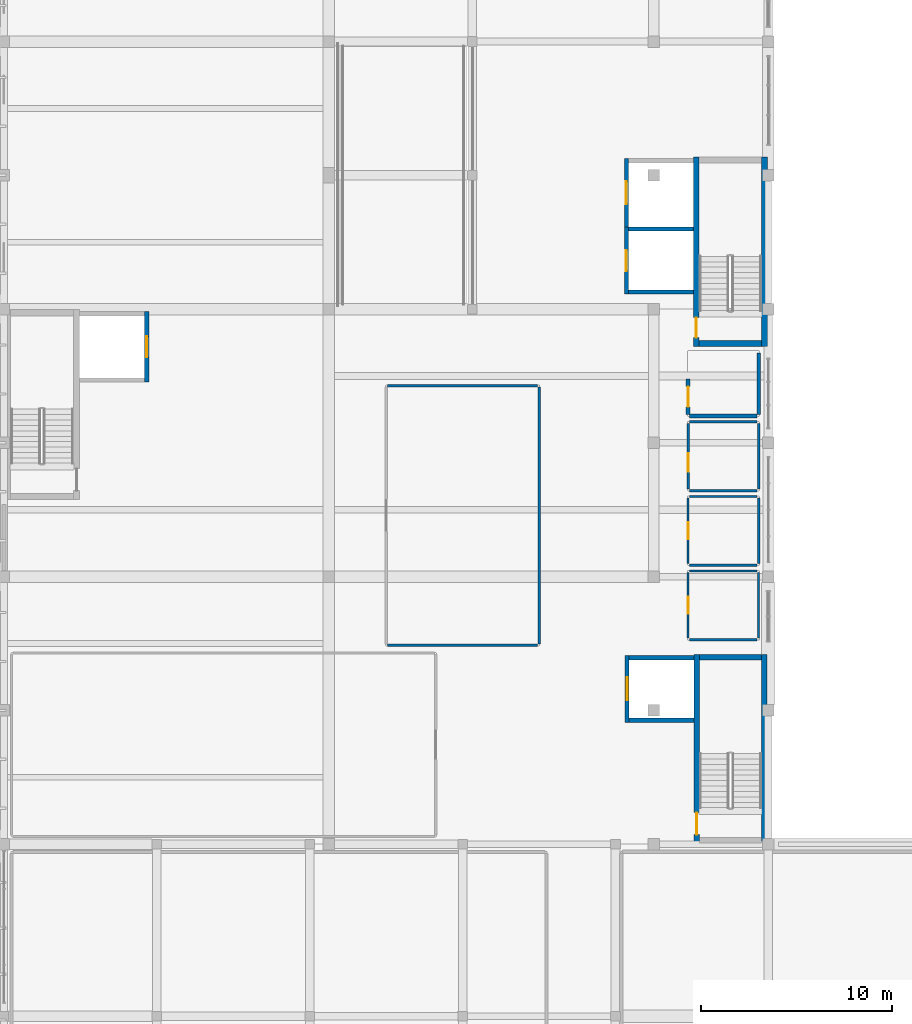
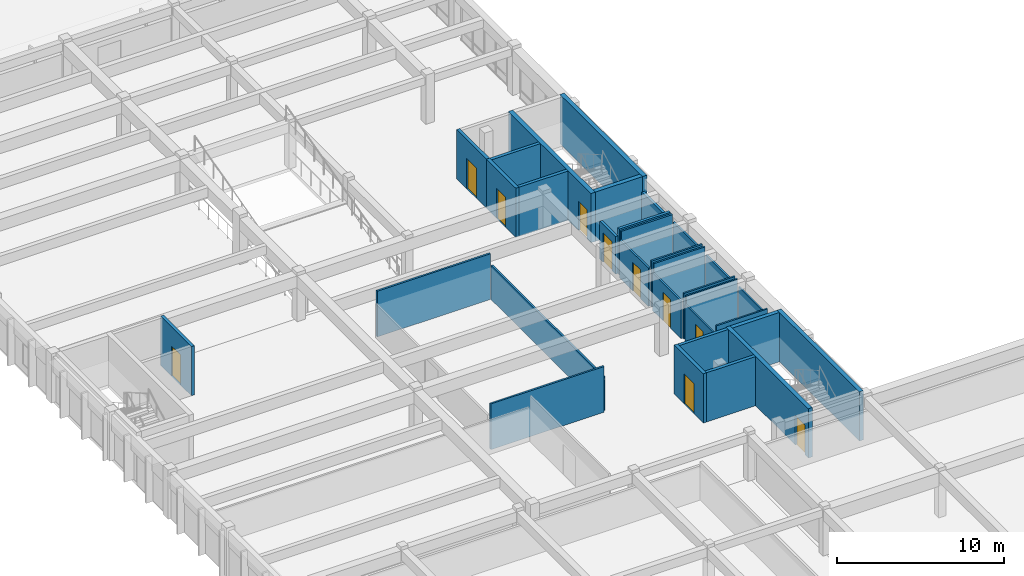
# One storey, part 23 of 33: 32 walls, 10 doors, 10 openings.
"""IFC4 building model written with IfcOpenShell, lengths in metres."""

from ifc_helpers import new_model, si_unit, direction, frame, frame_2d, origin, place, context, subcontext, project, spatial, rectangle, extrude, material, layer, layer_set, type_object, element, fill, save


model = new_model("IFC4")

# Units and contexts
model_context = context("Model", 3, precision=1e-05, world=origin(), true_north=direction((0.0, 1.0)))
body_context = subcontext(model_context, "Body", "Model", "MODEL_VIEW")
ifc_project = project(units=[si_unit("LENGTHUNIT", "METRE"), si_unit("AREAUNIT", "SQUARE_METRE"), si_unit("VOLUMEUNIT", "CUBIC_METRE"), si_unit("PLANEANGLEUNIT", "RADIAN"), si_unit("MASSUNIT", "GRAM", prefix="KILO")], contexts=[model_context])

# Site, building, storey
site_placement = place(None, origin())
site = spatial("IfcSite", under=ifc_project, at=site_placement, CompositionType="ELEMENT")
building_placement = place(site_placement, origin())
building = spatial("IfcBuilding", under=site, at=building_placement, Name="Larkveld Mobility Hub", CompositionType="ELEMENT")
storey_placement = place(building_placement, frame((0.0, 0.0, 15.60009765625)))
storey = spatial("IfcBuildingStorey", under=building, at=storey_placement, Name="L04", CompositionType="ELEMENT", Elevation=15.60009765625)

# Wall, opening, door
ifc_material_1 = material(Name="Concrete C40/50", Category="concrete")
ifc_layer_1 = layer(ifc_material_1, 0.280029296875, Name="Concrete C40/50", Category="concrete")
ifc_layer_set_1 = layer_set([ifc_layer_1], Name="Concrete C40/50")
wall_type_1 = type_object("IfcWallType", Name="WL-CORE-280", PredefinedType="SHEAR", material=ifc_layer_set_1)
wall_1_placement = place(storey_placement, frame((148.260009765625, 28.070068359375, 0.0), z_axis=(0.0, 0.0, 1.0), x_axis=(0.0, 1.0, 0.0)))
wall_1 = element("IfcWall", 1, at=wall_1_placement, inside=storey, type_object=wall_type_1, Name="Core C1 Stair Shear Wall L04-W", PredefinedType="SHEAR", context=body_context, shape_type="SweptSolid", body=[
    extrude(rectangle(XDim=9.85986328125, YDim=0.280029296875, at=frame_2d((4.929931640625, 0.0))), origin(), (0.0, 0.0, 1.0), 3.599853515625),
])
opening_1_placement = place(wall_1_placement, frame((0.429931640625, 0.0, 0.0)))
opening_1 = element("IfcOpeningElement", 2, at=opening_1_placement, cuts=wall_1, Name="Opening DF01", PredefinedType="OPENING", context=body_context, shape_type="SweptSolid", body=[
    extrude(rectangle(XDim=1.14990234375, YDim=2.14990234375, at=frame_2d((0.574951171875, 1.074951171875))), frame((0.0, 0.14990234375, 0.0), z_axis=(0.0, -1.0, 0.0), x_axis=(1.0, 0.0, 0.0)), (0.0, 0.0, 1.0), 0.300048828125),
])
ifc_material_2 = material(Name="Pressed Steel S355JR fire door assembly", Category="steel")
door_type_1 = type_object("IfcDoorType", Name="DR-FD120", OperationType="NOTDEFINED", PredefinedType="DOOR", material=ifc_material_2)
door_1_placement = place(opening_1_placement, origin())
door_1 = element("IfcDoor", 3, at=door_1_placement, inside=storey, type_object=door_type_1, Name="Stair ST1 Fire Door L04", OperationType="SINGLE_SWING_RIGHT", OverallHeight=2.14990234375, OverallWidth=1.14990234375, PredefinedType="DOOR", context=body_context, shape_type="SweptSolid", body=[
    extrude(rectangle(XDim=1.14990234375, YDim=2.14990234375, at=frame_2d((0.574951171875, 1.074951171875))), frame((0.0, 0.02490234375, 0.0), z_axis=(0.0, -1.0, 0.0), x_axis=(1.0, 0.0, 0.0)), (0.0, 0.0, 1.0), 0.050048828125),
])
fill(opening_1, door_1)

# Walls
wall_2_placement = place(storey_placement, frame((151.7900390625, 37.929931640625, 0.0), z_axis=(0.0, 0.0, 1.0), x_axis=(0.0, -1.0, 0.0)))
element("IfcWall", 4, at=wall_2_placement, inside=storey, type_object=wall_type_1, Name="Core C1 Stair Shear Wall L04-E", PredefinedType="SHEAR", context=body_context, shape_type="SweptSolid", body=[
    extrude(rectangle(XDim=9.85986328125, YDim=0.280029296875, at=frame_2d((4.929931640625, 0.0))), origin(), (0.0, 0.0, 1.0), 3.599853515625),
])
wall_3_placement = place(storey_placement, frame((148.39990234375, 37.7900390625, 0.0), z_axis=(0.0, 0.0, 1.0), x_axis=(1.0, 0.0, 0.0)))
element("IfcWall", 5, at=wall_3_placement, inside=storey, type_object=wall_type_1, Name="Core C1 Stair Shear Wall L04-N", PredefinedType="SHEAR", context=body_context, shape_type="SweptSolid", body=[
    extrude(rectangle(XDim=3.25, YDim=0.280029296875, at=frame_2d((1.625, 0.0))), origin(), (0.0, 0.0, 1.0), 3.599853515625),
])
ifc_material_3 = material(Name="Concrete blockwork masonry 14 MPa", Category="masonry")
ifc_layer_2 = layer(ifc_material_3, 0.110107421875, Name="Concrete blockwork masonry 14 MPa", Category="masonry")
ifc_layer_set_2 = layer_set([ifc_layer_2], Name="Concrete blockwork masonry 14 MPa")
wall_type_2 = type_object("IfcWallType", Name="WL-PRT-110", PredefinedType="PARTITIONING", material=ifc_layer_set_2)
for number, where, z_axis, x_axis, name in (
    (6, (147.8798828125, 38.699951171875, 0.0), (0.0, 0.0, 1.0), (1.0, 0.0, 0.0), "Male Public Toilet Partition 0204"),
    (7, (147.8798828125, 42.2939453125, 0.0), (0.0, 0.0, 1.0), (1.0, 0.0, 0.0), "Male Public Toilet Partition 0205"),
):
    element("IfcWall", number, at=place(storey_placement, frame(where, z_axis=z_axis, x_axis=x_axis)), inside=storey, type_object=wall_type_2, Name=name, PredefinedType="PARTITIONING", context=body_context, shape_type="SweptSolid", body=[
        extrude(rectangle(XDim=3.5341796875, YDim=0.110107421875, at=frame_2d((1.76708984375, 0.0))), origin(), (0.0, 0.0, 1.0), 3.344970703125),
    ])

# Wall, opening, door
wall_4_placement = place(storey_placement, frame((147.800048828125, 38.780029296875, 0.0), z_axis=(0.0, 0.0, 1.0), x_axis=(0.0, 1.0, 0.0)))
wall_4 = element("IfcWall", 8, at=wall_4_placement, inside=storey, type_object=wall_type_2, Name="Male Public Toilet Partition 0206", PredefinedType="PARTITIONING", context=body_context, shape_type="SweptSolid", body=[
    extrude(rectangle(XDim=3.43408203125, YDim=0.110107421875, at=frame_2d((1.717041015625, 0.0))), origin(), (0.0, 0.0, 1.0), 2.794921875),
])
opening_2_placement = place(wall_4_placement, frame((1.26708984375, 0.0, 0.0)))
opening_2 = element("IfcOpeningElement", 9, at=opening_2_placement, cuts=wall_4, Name="Opening DI01", PredefinedType="OPENING", context=body_context, shape_type="SweptSolid", body=[
    extrude(rectangle(XDim=0.89990234375, YDim=2.10009765625, at=frame_2d((0.449951171875, 1.050048828125))), frame((0.0, 0.06494140625, 0.0), z_axis=(0.0, -1.0, 0.0), x_axis=(1.0, 0.0, 0.0)), (0.0, 0.0, 1.0), 0.130126953125),
])
ifc_material_4 = material(Name="Solid-core hardwood timber door in aluminium frame", Category="wood")
door_type_2 = type_object("IfcDoorType", Name="DR-INT-090", OperationType="NOTDEFINED", PredefinedType="DOOR", material=ifc_material_4)
door_2_placement = place(opening_2_placement, origin())
door_2 = element("IfcDoor", 10, at=door_2_placement, inside=storey, type_object=door_type_2, Name="Male Public Toilet Door 0052", OperationType="SINGLE_SWING_LEFT", OverallHeight=2.10009765625, OverallWidth=0.89990234375, PredefinedType="DOOR", context=body_context, shape_type="SweptSolid", body=[
    extrude(rectangle(XDim=0.89990234375, YDim=2.10009765625, at=frame_2d((0.449951171875, 1.050048828125))), frame((0.0, 0.02490234375, 0.0), z_axis=(0.0, -1.0, 0.0), x_axis=(1.0, 0.0, 0.0)), (0.0, 0.0, 1.0), 0.050048828125),
])
fill(opening_2, door_2)

# Walls
wall_5_placement = place(storey_placement, frame((151.493896484375, 38.780029296875, 0.0), z_axis=(0.0, 0.0, 1.0), x_axis=(0.0, 1.0, 0.0)))
element("IfcWall", 11, at=wall_5_placement, inside=storey, type_object=wall_type_2, Name="Male Public Toilet Partition 0207", PredefinedType="PARTITIONING", context=body_context, shape_type="SweptSolid", body=[
    extrude(rectangle(XDim=3.43408203125, YDim=0.110107421875, at=frame_2d((1.717041015625, 0.0))), origin(), (0.0, 0.0, 1.0), 2.794921875),
])
ifc_layer_3 = layer(ifc_material_3, 0.1201171875, Name="Concrete blockwork masonry 14 MPa", Category="masonry")
ifc_layer_set_3 = layer_set([ifc_layer_3], Name="Concrete blockwork masonry 14 MPa")
wall_type_3 = type_object("IfcWallType", Name="WL-PRT-120", PredefinedType="PARTITIONING", material=ifc_layer_set_3)
for number, where, z_axis, x_axis, name in (
    (12, (147.8798828125, 42.60009765625, 0.0), (0.0, 0.0, 1.0), (1.0, 0.0, 0.0), "Female Public Toilet Partition 0208"),
    (13, (147.8798828125, 46.194091796875, 0.0), (0.0, 0.0, 1.0), (1.0, 0.0, 0.0), "Female Public Toilet Partition 0209"),
):
    element("IfcWall", number, at=place(storey_placement, frame(where, z_axis=z_axis, x_axis=x_axis)), inside=storey, type_object=wall_type_3, Name=name, PredefinedType="PARTITIONING", context=body_context, shape_type="SweptSolid", body=[
        extrude(rectangle(XDim=3.5341796875, YDim=0.1201171875, at=frame_2d((1.76708984375, 0.0))), origin(), (0.0, 0.0, 1.0), 3.344970703125),
    ])

# Wall, opening, door
wall_6_placement = place(storey_placement, frame((147.800048828125, 42.679931640625, 0.0), z_axis=(0.0, 0.0, 1.0), x_axis=(0.0, 1.0, 0.0)))
wall_6 = element("IfcWall", 14, at=wall_6_placement, inside=storey, type_object=wall_type_3, Name="Female Public Toilet Partition 0210", PredefinedType="PARTITIONING", context=body_context, shape_type="SweptSolid", body=[
    extrude(rectangle(XDim=3.43408203125, YDim=0.1201171875, at=frame_2d((1.717041015625, 0.0))), origin(), (0.0, 0.0, 1.0), 2.7548828125),
])
opening_3_placement = place(wall_6_placement, frame((1.26708984375, 0.0, 0.0)))
opening_3 = element("IfcOpeningElement", 15, at=opening_3_placement, cuts=wall_6, Name="Opening DI01", PredefinedType="OPENING", context=body_context, shape_type="SweptSolid", body=[
    extrude(rectangle(XDim=0.89990234375, YDim=2.10009765625, at=frame_2d((0.449951171875, 1.050048828125))), frame((0.0, 0.070068359375, 0.0), z_axis=(0.0, -1.0, 0.0), x_axis=(1.0, 0.0, 0.0)), (0.0, 0.0, 1.0), 0.14013671875),
])
door_3_placement = place(opening_3_placement, origin())
door_3 = element("IfcDoor", 16, at=door_3_placement, inside=storey, type_object=door_type_2, Name="Female Public Toilet Door 0053", OperationType="SINGLE_SWING_RIGHT", OverallHeight=2.10009765625, OverallWidth=0.89990234375, PredefinedType="DOOR", context=body_context, shape_type="SweptSolid", body=[
    extrude(rectangle(XDim=0.89990234375, YDim=2.10009765625, at=frame_2d((0.449951171875, 1.050048828125))), frame((0.0, 0.02490234375, 0.0), z_axis=(0.0, -1.0, 0.0), x_axis=(1.0, 0.0, 0.0)), (0.0, 0.0, 1.0), 0.050048828125),
])
fill(opening_3, door_3)

# Walls
wall_7_placement = place(storey_placement, frame((151.493896484375, 42.679931640625, 0.0), z_axis=(0.0, 0.0, 1.0), x_axis=(0.0, 1.0, 0.0)))
element("IfcWall", 17, at=wall_7_placement, inside=storey, type_object=wall_type_3, Name="Female Public Toilet Partition 0211", PredefinedType="PARTITIONING", context=body_context, shape_type="SweptSolid", body=[
    extrude(rectangle(XDim=3.43408203125, YDim=0.1201171875, at=frame_2d((1.717041015625, 0.0))), origin(), (0.0, 0.0, 1.0), 2.7548828125),
])
ifc_layer_4 = layer(ifc_material_3, 0.1298828125, Name="Concrete blockwork masonry 14 MPa", Category="masonry")
ifc_layer_set_4 = layer_set([ifc_layer_4], Name="Concrete blockwork masonry 14 MPa")
wall_type_4 = type_object("IfcWallType", Name="WL-PRT-130", PredefinedType="PARTITIONING", material=ifc_layer_set_4)
for number, where, z_axis, x_axis, name in (
    (18, (147.8798828125, 46.5, 0.0), (0.0, 0.0, 1.0), (1.0, 0.0, 0.0), "Accessible Unisex Toilet Partition 0212"),
    (19, (147.8798828125, 50.093994140625, 0.0), (0.0, 0.0, 1.0), (1.0, 0.0, 0.0), "Accessible Unisex Toilet Partition 0213"),
):
    element("IfcWall", number, at=place(storey_placement, frame(where, z_axis=z_axis, x_axis=x_axis)), inside=storey, type_object=wall_type_4, Name=name, PredefinedType="PARTITIONING", context=body_context, shape_type="SweptSolid", body=[
        extrude(rectangle(XDim=3.5341796875, YDim=0.1298828125, at=frame_2d((1.76708984375, 0.0))), origin(), (0.0, 0.0, 1.0), 3.344970703125),
    ])

# Wall, opening, door
wall_8_placement = place(storey_placement, frame((147.800048828125, 46.580078125, 0.0), z_axis=(0.0, 0.0, 1.0), x_axis=(0.0, 1.0, 0.0)))
wall_8 = element("IfcWall", 20, at=wall_8_placement, inside=storey, type_object=wall_type_4, Name="Accessible Unisex Toilet Partition 0214", PredefinedType="PARTITIONING", context=body_context, shape_type="SweptSolid", body=[
    extrude(rectangle(XDim=3.433837890625, YDim=0.1298828125, at=frame_2d((1.716796875, 0.0))), origin(), (0.0, 0.0, 1.0), 2.794921875),
])
opening_4_placement = place(wall_8_placement, frame((0.9140625, 0.0, 0.0)))
opening_4 = element("IfcOpeningElement", 21, at=opening_4_placement, cuts=wall_8, Name="Opening DI02", PredefinedType="OPENING", context=body_context, shape_type="SweptSolid", body=[
    extrude(rectangle(XDim=0.949951171875, YDim=2.10009765625, at=frame_2d((0.47509765625, 1.050048828125))), frame((0.0, 0.074951171875, 0.0), z_axis=(0.0, -1.0, 0.0), x_axis=(1.0, 0.0, 0.0)), (0.0, 0.0, 1.0), 0.14990234375),
])
door_type_3 = type_object("IfcDoorType", Name="DR-INT-095", OperationType="NOTDEFINED", PredefinedType="DOOR", material=ifc_material_4)
door_4_placement = place(opening_4_placement, origin())
door_4 = element("IfcDoor", 22, at=door_4_placement, inside=storey, type_object=door_type_3, Name="Accessible Unisex Toilet Door 0054", OperationType="SINGLE_SWING_LEFT", OverallHeight=2.10009765625, OverallWidth=0.949951171875, PredefinedType="DOOR", context=body_context, shape_type="SweptSolid", body=[
    extrude(rectangle(XDim=0.949951171875, YDim=2.10009765625, at=frame_2d((0.47509765625, 1.050048828125))), frame((0.0, 0.02490234375, 0.0), z_axis=(0.0, -1.0, 0.0), x_axis=(1.0, 0.0, 0.0)), (0.0, 0.0, 1.0), 0.050048828125),
])
fill(opening_4, door_4)

# Walls
wall_9_placement = place(storey_placement, frame((151.493896484375, 46.580078125, 0.0), z_axis=(0.0, 0.0, 1.0), x_axis=(0.0, 1.0, 0.0)))
element("IfcWall", 23, at=wall_9_placement, inside=storey, type_object=wall_type_4, Name="Accessible Unisex Toilet Partition 0215", PredefinedType="PARTITIONING", context=body_context, shape_type="SweptSolid", body=[
    extrude(rectangle(XDim=3.433837890625, YDim=0.1298828125, at=frame_2d((1.716796875, 0.0))), origin(), (0.0, 0.0, 1.0), 2.794921875),
])
for number, where, z_axis, x_axis, name in (
    (24, (132.080078125, 38.39990234375, 0.0), (0.0, 0.0, 1.0), (1.0, 0.0, 0.0), "Intermodal Stakeholder Briefing Room Partition 0223"),
    (25, (132.080078125, 52.0, 0.0), (0.0, 0.0, 1.0), (1.0, 0.0, 0.0), "Intermodal Stakeholder Briefing Room Partition 0224"),
):
    element("IfcWall", number, at=place(storey_placement, frame(where, z_axis=z_axis, x_axis=x_axis)), inside=storey, type_object=wall_type_4, Name=name, PredefinedType="PARTITIONING", context=body_context, shape_type="SweptSolid", body=[
        extrude(rectangle(XDim=7.83984375, YDim=0.1298828125, at=frame_2d((3.919921875, 0.0))), origin(), (0.0, 0.0, 1.0), 3.344970703125),
    ])
wall_10_placement = place(storey_placement, frame((140.0, 38.47998046875, 0.0), z_axis=(0.0, 0.0, 1.0), x_axis=(0.0, 1.0, 0.0)))
element("IfcWall", 26, at=wall_10_placement, inside=storey, type_object=wall_type_4, Name="Intermodal Stakeholder Briefing Room Partition 0226", PredefinedType="PARTITIONING", context=body_context, shape_type="SweptSolid", body=[
    extrude(rectangle(XDim=13.43994140625, YDim=0.1298828125, at=frame_2d((6.719970703125, 0.0))), origin(), (0.0, 0.0, 1.0), 2.494873046875),
])
ifc_layer_5 = layer(ifc_material_3, 0.195068359375, Name="Concrete blockwork masonry 14 MPa", Category="masonry")
ifc_layer_set_5 = layer_set([ifc_layer_5], Name="Concrete blockwork masonry 14 MPa")
wall_type_5 = type_object("IfcWallType", Name="WL-PRT-195", PredefinedType="PARTITIONING", material=ifc_layer_set_5)
wall_11_placement = place(storey_placement, frame((147.8798828125, 50.39990234375, 0.0), z_axis=(0.0, 0.0, 1.0), x_axis=(1.0, 0.0, 0.0)))
element("IfcWall", 27, at=wall_11_placement, inside=storey, type_object=wall_type_5, Name="Cleaners Store Room Partition 0216", PredefinedType="PARTITIONING", context=body_context, shape_type="SweptSolid", body=[
    extrude(rectangle(XDim=3.5341796875, YDim=0.195068359375, at=frame_2d((1.76708984375, 0.0))), origin(), (0.0, 0.0, 1.0), 3.344970703125),
])

# Wall, opening, door
wall_12_placement = place(storey_placement, frame((147.800048828125, 50.47998046875, 0.0), z_axis=(0.0, 0.0, 1.0), x_axis=(0.0, 1.0, 0.0)))
wall_12 = element("IfcWall", 28, at=wall_12_placement, inside=storey, type_object=wall_type_5, Name="Cleaners Store Room Partition 0217", PredefinedType="PARTITIONING", context=body_context, shape_type="SweptSolid", body=[
    extrude(rectangle(XDim=1.864013671875, YDim=0.195068359375, at=frame_2d((0.93212890625, 0.0))), origin(), (0.0, 0.0, 1.0), 2.7548828125),
])
opening_5_placement = place(wall_12_placement, frame((0.406982421875, 0.0, 0.0)))
opening_5 = element("IfcOpeningElement", 29, at=opening_5_placement, cuts=wall_12, Name="Opening DF02", PredefinedType="OPENING", context=body_context, shape_type="SweptSolid", body=[
    extrude(rectangle(XDim=1.050048828125, YDim=2.14990234375, at=frame_2d((0.52490234375, 1.074951171875))), frame((0.0, 0.107421875, 0.0), z_axis=(0.0, -1.0, 0.0), x_axis=(1.0, 0.0, 0.0)), (0.0, 0.0, 1.0), 0.215087890625),
])
door_type_4 = type_object("IfcDoorType", Name="DR-FD60", OperationType="NOTDEFINED", PredefinedType="DOOR", material=ifc_material_2)
door_5_placement = place(opening_5_placement, origin())
door_5 = element("IfcDoor", 30, at=door_5_placement, inside=storey, type_object=door_type_4, Name="Cleaners Store Room Door 0055", OperationType="SINGLE_SWING_RIGHT", OverallHeight=2.14990234375, OverallWidth=1.050048828125, PredefinedType="DOOR", context=body_context, shape_type="SweptSolid", body=[
    extrude(rectangle(XDim=1.050048828125, YDim=2.14990234375, at=frame_2d((0.52490234375, 1.074951171875))), frame((0.0, 0.02490234375, 0.0), z_axis=(0.0, -1.0, 0.0), x_axis=(1.0, 0.0, 0.0)), (0.0, 0.0, 1.0), 0.050048828125),
])
fill(opening_5, door_5)

# Wall
wall_13_placement = place(storey_placement, frame((151.493896484375, 50.47998046875, 0.0), z_axis=(0.0, 0.0, 1.0), x_axis=(0.0, 1.0, 0.0)))
element("IfcWall", 31, at=wall_13_placement, inside=storey, type_object=wall_type_5, Name="Cleaners Store Room Partition 0218", PredefinedType="PARTITIONING", context=body_context, shape_type="SweptSolid", body=[
    extrude(rectangle(XDim=3.234130859375, YDim=0.195068359375, at=frame_2d((1.6171875, 0.0))), origin(), (0.0, 0.0, 1.0), 2.7548828125),
])

# Wall, opening, door
ifc_layer_6 = layer(ifc_material_1, 0.219970703125, Name="Concrete C40/50", Category="concrete")
ifc_layer_set_6 = layer_set([ifc_layer_6], Name="Concrete C40/50")
wall_type_6 = type_object("IfcWallType", Name="WL-SHF-220", PredefinedType="SHEAR", material=ifc_layer_set_6)
wall_14_placement = place(storey_placement, frame((144.610107421875, 34.3798828125, 0.0), z_axis=(0.0, 0.0, 1.0), x_axis=(0.0, 1.0, 0.0)))
wall_14 = element("IfcWall", 32, at=wall_14_placement, inside=storey, type_object=wall_type_6, Name="Lift FL1 Shaft Wall L04-W", PredefinedType="SHEAR", context=body_context, shape_type="SweptSolid", body=[
    extrude(rectangle(XDim=3.490234375, YDim=0.219970703125, at=frame_2d((1.7451171875, 0.0))), origin(), (0.0, 0.0, 1.0), 3.599853515625),
])
opening_6_placement = place(wall_14_placement, frame((1.14501953125, 0.0, 0.0)))
opening_6 = element("IfcOpeningElement", 33, at=opening_6_placement, cuts=wall_14, Name="Opening LD02", PredefinedType="OPENING", context=body_context, shape_type="SweptSolid", body=[
    extrude(rectangle(XDim=1.199951171875, YDim=2.199951171875, at=frame_2d((0.60009765625, 1.10009765625))), frame((0.0, 0.1201171875, 0.0), z_axis=(0.0, -1.0, 0.0), x_axis=(1.0, 0.0, 0.0)), (0.0, 0.0, 1.0), 0.239990234375),
])
ifc_material_5 = material(Name="Brushed stainless Steel S355JR sliding landing door", Category="steel")
door_type_5 = type_object("IfcDoorType", Name="DR-LD-120", OperationType="DOUBLE_DOOR_SLIDING", PredefinedType="DOOR", material=ifc_material_5)
door_6_placement = place(opening_6_placement, origin())
door_6 = element("IfcDoor", 34, at=door_6_placement, inside=storey, type_object=door_type_5, Name="Lift landing door FL1-L04", OperationType="DOUBLE_DOOR_SLIDING", OverallHeight=2.199951171875, OverallWidth=1.199951171875, PredefinedType="DOOR", context=body_context, shape_type="SweptSolid", body=[
    extrude(rectangle(XDim=1.199951171875, YDim=2.199951171875, at=frame_2d((0.60009765625, 1.10009765625))), frame((0.0, 0.02490234375, 0.0), z_axis=(0.0, -1.0, 0.0), x_axis=(1.0, 0.0, 0.0)), (0.0, 0.0, 1.0), 0.050048828125),
])
fill(opening_6, door_6)

# Walls
for number, where, z_axis, x_axis, name in (
    (35, (148.1201171875, 34.489990234375, 0.0), (0.0, 0.0, 1.0), (-1.0, 0.0, 0.0), "Lift FL1 Shaft Wall L04-S"),
    (36, (144.719970703125, 37.760009765625, 0.0), (0.0, 0.0, 1.0), (1.0, 0.0, 0.0), "Lift FL1 Shaft Wall L04-N"),
):
    element("IfcWall", number, at=place(storey_placement, frame(where, z_axis=z_axis, x_axis=x_axis)), inside=storey, type_object=wall_type_6, Name=name, PredefinedType="SHEAR", context=body_context, shape_type="SweptSolid", body=[
        extrude(rectangle(XDim=3.400146484375, YDim=0.219970703125, at=frame_2d((1.7001953125, 0.0))), origin(), (0.0, 0.0, 1.0), 3.599853515625),
    ])

# Wall, opening, door
wall_15_placement = place(storey_placement, frame((144.570068359375, 60.300048828125, 0.0), z_axis=(0.0, 0.0, 1.0), x_axis=(0.0, 1.0, 0.0)))
wall_15 = element("IfcWall", 37, at=wall_15_placement, inside=storey, type_object=wall_type_6, Name="Lift FL2 Shaft Wall L04-W", PredefinedType="SHEAR", context=body_context, shape_type="SweptSolid", body=[
    extrude(rectangle(XDim=3.570068359375, YDim=0.219970703125, at=frame_2d((1.78515625, 0.0))), origin(), (0.0, 0.0, 1.0), 3.599853515625),
])
opening_7_placement = place(wall_15_placement, frame((1.18505859375, 0.0, 0.0)))
opening_7 = element("IfcOpeningElement", 38, at=opening_7_placement, cuts=wall_15, Name="Opening LD02", PredefinedType="OPENING", context=body_context, shape_type="SweptSolid", body=[
    extrude(rectangle(XDim=1.199951171875, YDim=2.199951171875, at=frame_2d((0.60009765625, 1.10009765625))), frame((0.0, 0.1201171875, 0.0), z_axis=(0.0, -1.0, 0.0), x_axis=(1.0, 0.0, 0.0)), (0.0, 0.0, 1.0), 0.239990234375),
])
door_7_placement = place(opening_7_placement, origin())
door_7 = element("IfcDoor", 39, at=door_7_placement, inside=storey, type_object=door_type_5, Name="Lift landing door FL2-L04", OperationType="DOUBLE_DOOR_SLIDING", OverallHeight=2.199951171875, OverallWidth=1.199951171875, PredefinedType="DOOR", context=body_context, shape_type="SweptSolid", body=[
    extrude(rectangle(XDim=1.199951171875, YDim=2.199951171875, at=frame_2d((0.60009765625, 1.10009765625))), frame((0.0, 0.02490234375, 0.0), z_axis=(0.0, -1.0, 0.0), x_axis=(1.0, 0.0, 0.0)), (0.0, 0.0, 1.0), 0.050048828125),
])
fill(opening_7, door_7)

wall_16_placement = place(storey_placement, frame((144.570068359375, 56.780029296875, 0.0), z_axis=(0.0, 0.0, 1.0), x_axis=(0.0, 1.0, 0.0)))
wall_16 = element("IfcWall", 40, at=wall_16_placement, inside=storey, type_object=wall_type_6, Name="Lift PL1 Shaft Wall L04-W", PredefinedType="SHEAR", context=body_context, shape_type="SweptSolid", body=[
    extrude(rectangle(XDim=3.52001953125, YDim=0.219970703125, at=frame_2d((1.760009765625, 0.0))), origin(), (0.0, 0.0, 1.0), 3.599853515625),
])
opening_8_placement = place(wall_16_placement, frame((1.2099609375, 0.0, 0.0)))
opening_8 = element("IfcOpeningElement", 41, at=opening_8_placement, cuts=wall_16, Name="Opening LD01", PredefinedType="OPENING", context=body_context, shape_type="SweptSolid", body=[
    extrude(rectangle(XDim=1.10009765625, YDim=2.199951171875, at=frame_2d((0.550048828125, 1.10009765625))), frame((0.0, 0.1201171875, 0.0), z_axis=(0.0, -1.0, 0.0), x_axis=(1.0, 0.0, 0.0)), (0.0, 0.0, 1.0), 0.239990234375),
])
door_type_6 = type_object("IfcDoorType", Name="DR-LD-110", OperationType="DOUBLE_DOOR_SLIDING", PredefinedType="DOOR", material=ifc_material_5)
door_8_placement = place(opening_8_placement, origin())
door_8 = element("IfcDoor", 42, at=door_8_placement, inside=storey, type_object=door_type_6, Name="Lift landing door PL1-L04", OperationType="DOUBLE_DOOR_SLIDING", OverallHeight=2.199951171875, OverallWidth=1.10009765625, PredefinedType="DOOR", context=body_context, shape_type="SweptSolid", body=[
    extrude(rectangle(XDim=1.10009765625, YDim=2.199951171875, at=frame_2d((0.550048828125, 1.10009765625))), frame((0.0, 0.02490234375, 0.0), z_axis=(0.0, -1.0, 0.0), x_axis=(1.0, 0.0, 0.0)), (0.0, 0.0, 1.0), 0.050048828125),
])
fill(opening_8, door_8)

# Walls
for number, where, z_axis, x_axis, name in (
    (43, (148.080078125, 56.889892578125, 0.0), (0.0, 0.0, 1.0), (-1.0, 0.0, 0.0), "Lift PL1 Shaft Wall L04-S"),
    (44, (144.679931640625, 60.18994140625, 0.0), (0.0, 0.0, 1.0), (1.0, 0.0, 0.0), "Lift PL1 Shaft Wall L04-N"),
):
    element("IfcWall", number, at=place(storey_placement, frame(where, z_axis=z_axis, x_axis=x_axis)), inside=storey, type_object=wall_type_6, Name=name, PredefinedType="SHEAR", context=body_context, shape_type="SweptSolid", body=[
        extrude(rectangle(XDim=3.400146484375, YDim=0.219970703125, at=frame_2d((1.7001953125, 0.0))), origin(), (0.0, 0.0, 1.0), 3.599853515625),
    ])

# Wall, opening, door
wall_17_placement = place(storey_placement, frame((119.469970703125, 55.8701171875, 0.0), z_axis=(0.0, 0.0, 1.0), x_axis=(0.0, -1.0, 0.0)))
wall_17 = element("IfcWall", 45, at=wall_17_placement, inside=storey, type_object=wall_type_6, Name="Lift PL2 Shaft Wall L04-E", PredefinedType="SHEAR", context=body_context, shape_type="SweptSolid", body=[
    extrude(rectangle(XDim=3.690185546875, YDim=0.219970703125, at=frame_2d((1.84521484375, 0.0))), origin(), (0.0, 0.0, 1.0), 3.599853515625),
])
opening_9_placement = place(wall_17_placement, frame((1.294921875, 0.0, 0.0)))
opening_9 = element("IfcOpeningElement", 46, at=opening_9_placement, cuts=wall_17, Name="Opening LD01", PredefinedType="OPENING", context=body_context, shape_type="SweptSolid", body=[
    extrude(rectangle(XDim=1.10009765625, YDim=2.199951171875, at=frame_2d((0.550048828125, 1.10009765625))), frame((0.0, 0.1201171875, 0.0), z_axis=(0.0, -1.0, 0.0), x_axis=(1.0, 0.0, 0.0)), (0.0, 0.0, 1.0), 0.239990234375),
])
door_9_placement = place(opening_9_placement, origin())
door_9 = element("IfcDoor", 47, at=door_9_placement, inside=storey, type_object=door_type_6, Name="Lift landing door PL2-L04", OperationType="DOUBLE_DOOR_SLIDING", OverallHeight=2.199951171875, OverallWidth=1.10009765625, PredefinedType="DOOR", context=body_context, shape_type="SweptSolid", body=[
    extrude(rectangle(XDim=1.10009765625, YDim=2.199951171875, at=frame_2d((0.550048828125, 1.10009765625))), frame((0.0, 0.02490234375, 0.0), z_axis=(0.0, -1.0, 0.0), x_axis=(1.0, 0.0, 0.0)), (0.0, 0.0, 1.0), 0.050048828125),
])
fill(opening_9, door_9)

ifc_layer_7 = layer(ifc_material_1, 0.300048828125, Name="Concrete C40/50", Category="concrete")
ifc_layer_set_7 = layer_set([ifc_layer_7], Name="Concrete C40/50")
wall_type_7 = type_object("IfcWallType", Name="WL-SHR-02", PredefinedType="SHEAR", material=ifc_layer_set_7)
wall_18_placement = place(storey_placement, frame((148.22998046875, 54.050048828125, 0.0), z_axis=(0.0, 0.0, 1.0), x_axis=(0.0, 1.0, 0.0)))
wall_18 = element("IfcWall", 48, at=wall_18_placement, inside=storey, type_object=wall_type_7, Name="Core C2 Stair Shear Wall L04-W", PredefinedType="SHEAR", context=body_context, shape_type="SweptSolid", body=[
    extrude(rectangle(XDim=9.89990234375, YDim=0.300048828125, at=frame_2d((4.949951171875, 0.0))), origin(), (0.0, 0.0, 1.0), 3.599853515625),
])
opening_10_placement = place(wall_18_placement, frame((0.449951171875, 0.0, 0.0)))
opening_10 = element("IfcOpeningElement", 49, at=opening_10_placement, cuts=wall_18, Name="Opening DF02", PredefinedType="OPENING", context=body_context, shape_type="SweptSolid", body=[
    extrude(rectangle(XDim=1.050048828125, YDim=2.14990234375, at=frame_2d((0.52490234375, 1.074951171875))), frame((0.0, 0.16015625, 0.0), z_axis=(0.0, -1.0, 0.0), x_axis=(1.0, 0.0, 0.0)), (0.0, 0.0, 1.0), 0.320068359375),
])
door_10_placement = place(opening_10_placement, origin())
door_10 = element("IfcDoor", 50, at=door_10_placement, inside=storey, type_object=door_type_4, Name="Stair ST2 Fire Door L04", OperationType="SINGLE_SWING_LEFT", OverallHeight=2.14990234375, OverallWidth=1.050048828125, PredefinedType="DOOR", context=body_context, shape_type="SweptSolid", body=[
    extrude(rectangle(XDim=1.050048828125, YDim=2.14990234375, at=frame_2d((0.52490234375, 1.074951171875))), frame((0.0, 0.02490234375, 0.0), z_axis=(0.0, -1.0, 0.0), x_axis=(1.0, 0.0, 0.0)), (0.0, 0.0, 1.0), 0.050048828125),
])
fill(opening_10, door_10)

# Walls
wall_19_placement = place(storey_placement, frame((151.800048828125, 63.949951171875, 0.0), z_axis=(0.0, 0.0, 1.0), x_axis=(0.0, -1.0, 0.0)))
element("IfcWall", 51, at=wall_19_placement, inside=storey, type_object=wall_type_7, Name="Core C2 Stair Shear Wall L04-E", PredefinedType="SHEAR", context=body_context, shape_type="SweptSolid", body=[
    extrude(rectangle(XDim=9.89990234375, YDim=0.300048828125, at=frame_2d((4.949951171875, 0.0))), origin(), (0.0, 0.0, 1.0), 3.599853515625),
])
wall_20_placement = place(storey_placement, frame((151.64990234375, 54.199951171875, 0.0), z_axis=(0.0, 0.0, 1.0), x_axis=(-1.0, 0.0, 0.0)))
element("IfcWall", 52, at=wall_20_placement, inside=storey, type_object=wall_type_7, Name="Core C2 Stair Shear Wall L04-S", PredefinedType="SHEAR", context=body_context, shape_type="SweptSolid", body=[
    extrude(rectangle(XDim=3.27001953125, YDim=0.300048828125, at=frame_2d((1.635009765625, 0.0))), origin(), (0.0, 0.0, 1.0), 3.599853515625),
])

save(model, "model.ifc")
